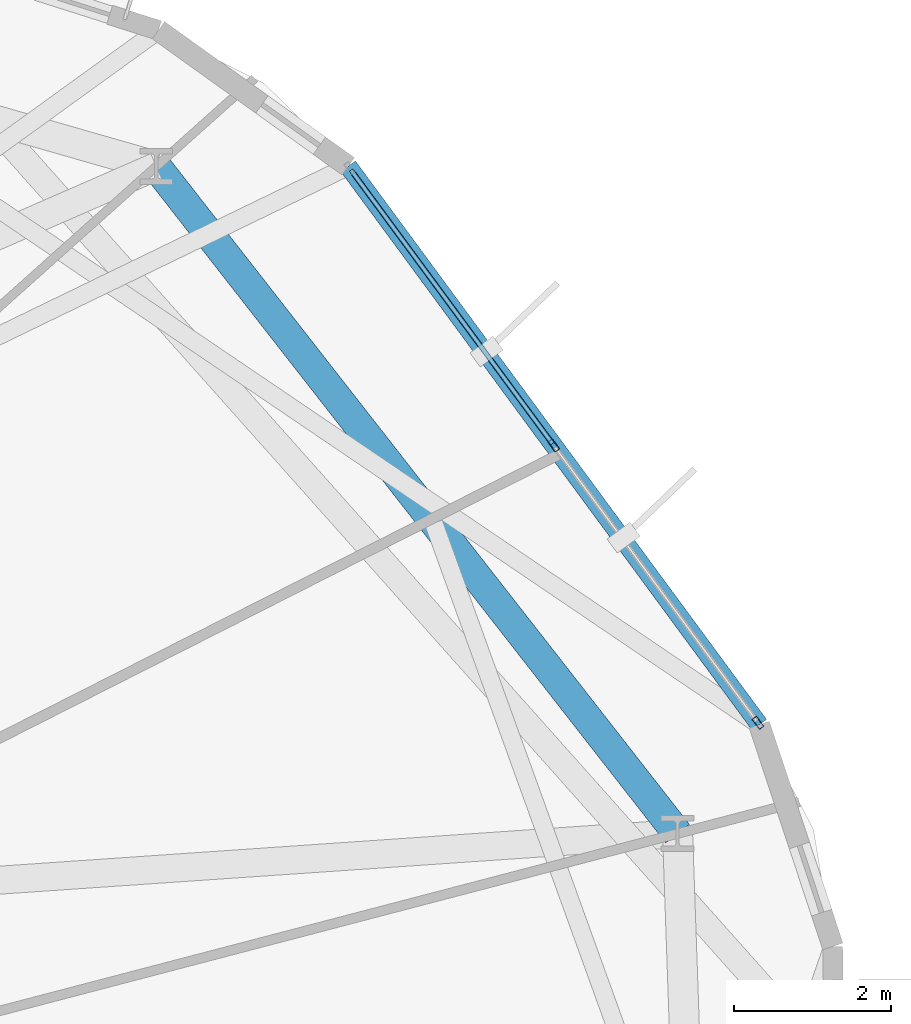
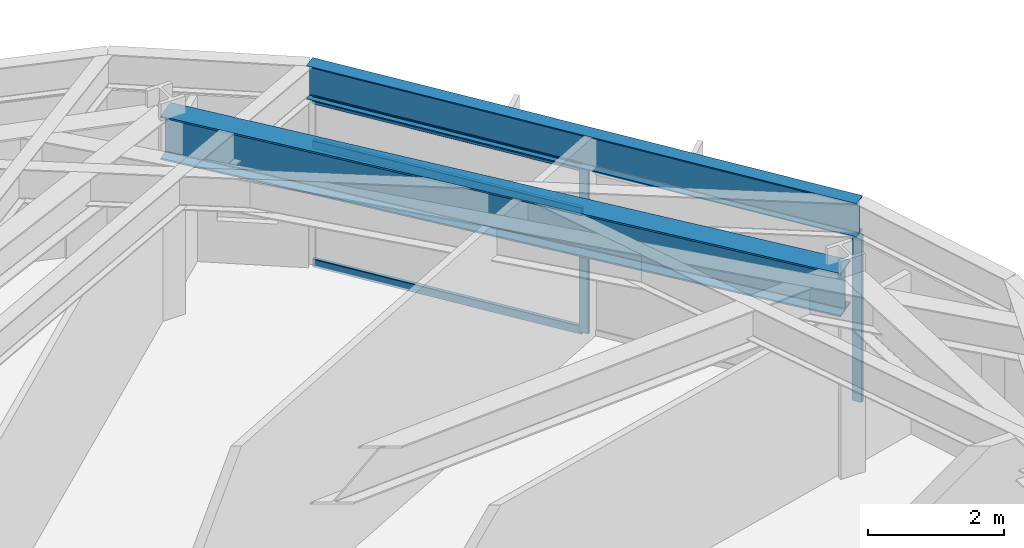
# One storey, part 16 of 27: 5 members, 2 beams, 1 element without a shape of its own.
"""IFC4 building model written with IfcOpenShell, lengths in metres."""

from ifc_helpers import new_model, si_unit, direction, frame, origin, origin_2d, place, context, subcontext, project, spatial, hollow_rectangle, i_section, extrude, material, layer, layer_set, material_profile, profile_set, type_object, element, aggregate, save


model = new_model("IFC4")

# Units and contexts
model_context = context("Model", 3, precision=1e-05, world=origin(), true_north=direction((0.0, 1.0)))
body_context = subcontext(model_context, "Body", "Model", "MODEL_VIEW")
ifc_project = project(units=[si_unit("LENGTHUNIT", "METRE"), si_unit("AREAUNIT", "SQUARE_METRE"), si_unit("VOLUMEUNIT", "CUBIC_METRE"), si_unit("PLANEANGLEUNIT", "RADIAN"), si_unit("MASSUNIT", "GRAM", prefix="KILO")], contexts=[model_context])

# Site, building, storey
site_placement = place(None, origin())
site = spatial("IfcSite", under=ifc_project, at=site_placement, CompositionType="ELEMENT")
building_placement = place(site_placement, origin())
building = spatial("IfcBuilding", under=site, at=building_placement, Name="Soratama Intermodal Tower", CompositionType="ELEMENT")
storey_placement = place(building_placement, frame((0.0, 0.0, 99.10009765625)))
storey = spatial("IfcBuildingStorey", under=building, at=storey_placement, Name="L23", CompositionType="ELEMENT", Elevation=99.10009765625)

# Beams
ifc_material_1 = material(Name="Structural steel ASTM A992 Grade 50", Category="steel")
ifc_material_profile_1 = material_profile(ifc_material_1, i_section(OverallWidth=0.382080078125, OverallDepth=0.779052734375, WebThickness=0.01806640625, FlangeThickness=0.030029296875, FilletRadius=0.01806640625, at=origin_2d()), Name="W30X191")
ifc_profile_set_1 = profile_set([ifc_material_profile_1], Name="Structural steel ASTM A992 Grade 50")
beam_type_1 = type_object("IfcBeamType", Name="BM-RING-W30X191", PredefinedType="BEAM", material=ifc_profile_set_1)
beam_1_placement = place(storey_placement, frame((61.35107421875, 30.950927734375, 3.21044921875), z_axis=(-0.615683690883, 0.787993396407, 0.0), x_axis=(-0.787993396407, -0.615683690883, 0.0)))
element("IfcBeam", 1, at=beam_1_placement, inside=storey, type_object=beam_type_1, Name="BM-L23-RING-01", PredefinedType="BEAM", context=body_context, shape_type="SweptSolid", body=[
    extrude(i_section(OverallWidth=0.382080078125, OverallDepth=0.779052734375, WebThickness=0.01806640625, FlangeThickness=0.030029296875, FilletRadius=0.01806640625, at=origin_2d()), origin(), (0.0, 0.0, 1.0), 10.754150390625),
])
ifc_material_2 = material(Name="Structural steel ASTM A992 Grade 50", Category="steel")
ifc_material_profile_2 = material_profile(ifc_material_2, i_section(OverallWidth=0.22900390625, OverallDepth=0.612060546875, WebThickness=0.011962890625, FlangeThickness=0.01953125, FilletRadius=0.012939453125, at=origin_2d()), Name="W24X84")
ifc_profile_set_2 = profile_set([ifc_material_profile_2], Name="Structural steel ASTM A992 Grade 50")
beam_type_2 = type_object("IfcBeamType", Name="BM-SPN-W24X84", PredefinedType="SPANDREL", material=ifc_profile_set_2)
beam_2_placement = place(storey_placement, frame((62.388916015625, 32.333984375, 3.2939453125), z_axis=(-0.592848143803, 0.805314273057, 0.0), x_axis=(-0.805314273057, -0.592848143803, 0.0)))
element("IfcBeam", 2, at=beam_2_placement, inside=storey, type_object=beam_type_2, Name="BS-L23-F01", PredefinedType="SPANDREL", context=body_context, shape_type="SweptSolid", body=[
    extrude(i_section(OverallWidth=0.22900390625, OverallDepth=0.612060546875, WebThickness=0.011962890625, FlangeThickness=0.01953125, FilletRadius=0.012939453125, at=origin_2d()), origin(), (0.0, 0.0, 1.0), 8.806640625),
])

# Curtain wall, members
ifc_material_3 = material(Name="Double-glazed aluminium curtain wall", Category="aluminium")
ifc_layer = layer(ifc_material_3, 0.159912109375)
ifc_layer_set = layer_set([ifc_layer], Name="Double-glazed aluminium curtain wall")
curtain_wall_type = type_object("IfcCurtainWallType", Name="CW-SYS-3", PredefinedType="NOTDEFINED", material=ifc_layer_set)
curtain_wall_placement = place(storey_placement, origin())
curtain_wall = element("IfcCurtainWall", 3, at=curtain_wall_placement, inside=storey, type_object=curtain_wall_type, Name="L23 Faceted Curtain Wall F01", PredefinedType="NOTDEFINED")
ifc_material_4 = material(Name="Anodised aluminium AA 6063-T6", Category="aluminium")
ifc_material_profile_3 = material_profile(ifc_material_4, hollow_rectangle(XDim=0.070068359375, YDim=0.159912109375, WallThickness=0.0048828125, InnerFilletRadius=0.0048828125, OuterFilletRadius=0.010009765625, at=origin_2d()), Name="CWM160X70X5")
ifc_profile_set_3 = profile_set([ifc_material_profile_3], Name="Anodised aluminium AA 6063-T6")
member_type_1 = type_object("IfcMemberType", Name="MT-CWM-3", PredefinedType="MULLION", material=ifc_profile_set_3)
member_1_placement = place(storey_placement, frame((62.37158203125, 32.358154296875, 0.0), z_axis=(0.0, 0.0, 1.0), x_axis=(-0.805309777215, -0.592854250826, 0.0)))
member_1 = element("IfcMember", 4, at=member_1_placement, type_object=member_type_1, Name="CW-3 mullion 1", PredefinedType="MULLION", context=body_context, shape_type="SweptSolid", body=[
    extrude(hollow_rectangle(XDim=0.070068359375, YDim=0.159912109375, WallThickness=0.0048828125, InnerFilletRadius=0.0048828125, OuterFilletRadius=0.010009765625, at=origin_2d()), origin(), (0.0, 0.0, 1.0), 2.97900390625),
])
member_2_placement = place(storey_placement, frame((59.77880859375, 35.8798828125, 0.0), z_axis=(0.0, 0.0, 1.0), x_axis=(-0.805309777215, -0.592854250826, 0.0)))
member_2 = element("IfcMember", 5, at=member_2_placement, type_object=member_type_1, Name="CW-3 mullion 2", PredefinedType="MULLION", context=body_context, shape_type="SweptSolid", body=[
    extrude(hollow_rectangle(XDim=0.070068359375, YDim=0.159912109375, WallThickness=0.0048828125, InnerFilletRadius=0.0048828125, OuterFilletRadius=0.010009765625, at=origin_2d()), origin(), (0.0, 0.0, 1.0), 2.97900390625),
])
ifc_material_5 = material(Name="Anodised aluminium AA 6063-T6", Category="aluminium")
ifc_material_profile_4 = material_profile(ifc_material_5, hollow_rectangle(XDim=0.06494140625, YDim=0.14990234375, WallThickness=0.0048828125, InnerFilletRadius=0.0048828125, OuterFilletRadius=0.010009765625, at=origin_2d()), Name="CWT150X65X5")
ifc_profile_set_4 = profile_set([ifc_material_profile_4], Name="Anodised aluminium AA 6063-T6")
member_type_2 = type_object("IfcMemberType", Name="TT-CWT-1", PredefinedType="USERDEFINED", material=ifc_profile_set_4)
member_3_placement = place(storey_placement, frame((59.76123046875, 35.904052734375, 0.02978515625), z_axis=(-0.592876568131, 0.805293347148, 0.0), x_axis=(-0.805293347148, -0.592876568131, 0.0)))
member_3 = element("IfcMember", 6, at=member_3_placement, type_object=member_type_2, Name="CW-3 transom 2.1", ObjectType="TRANSOM", PredefinedType="USERDEFINED", context=body_context, shape_type="SweptSolid", body=[
    extrude(hollow_rectangle(XDim=0.06494140625, YDim=0.14990234375, WallThickness=0.0048828125, InnerFilletRadius=0.0048828125, OuterFilletRadius=0.010009765625, at=origin_2d()), origin(), (0.0, 0.0, 1.0), 4.3134765625),
])
member_4_placement = place(storey_placement, frame((59.76123046875, 35.904052734375, 2.14990234375), z_axis=(-0.592876568131, 0.805293347148, 0.0), x_axis=(-0.805293347148, -0.592876568131, 0.0)))
member_4 = element("IfcMember", 7, at=member_4_placement, type_object=member_type_2, Name="CW-3 transom 2.2", ObjectType="TRANSOM", PredefinedType="USERDEFINED", context=body_context, shape_type="SweptSolid", body=[
    extrude(hollow_rectangle(XDim=0.06494140625, YDim=0.14990234375, WallThickness=0.0048828125, InnerFilletRadius=0.0048828125, OuterFilletRadius=0.010009765625, at=origin_2d()), origin(), (0.0, 0.0, 1.0), 4.3134765625),
])
member_5_placement = place(storey_placement, frame((59.76123046875, 35.904052734375, 2.948974609375), z_axis=(-0.592876568131, 0.805293347148, 0.0), x_axis=(-0.805293347148, -0.592876568131, 0.0)))
member_5 = element("IfcMember", 8, at=member_5_placement, type_object=member_type_2, Name="CW-3 transom 2.3", ObjectType="TRANSOM", PredefinedType="USERDEFINED", context=body_context, shape_type="SweptSolid", body=[
    extrude(hollow_rectangle(XDim=0.06494140625, YDim=0.14990234375, WallThickness=0.0048828125, InnerFilletRadius=0.0048828125, OuterFilletRadius=0.010009765625, at=origin_2d()), origin(), (0.0, 0.0, 1.0), 4.3134765625),
])
aggregate(curtain_wall, [member_1, member_2, member_3, member_4, member_5])

save(model, "model.ifc")
